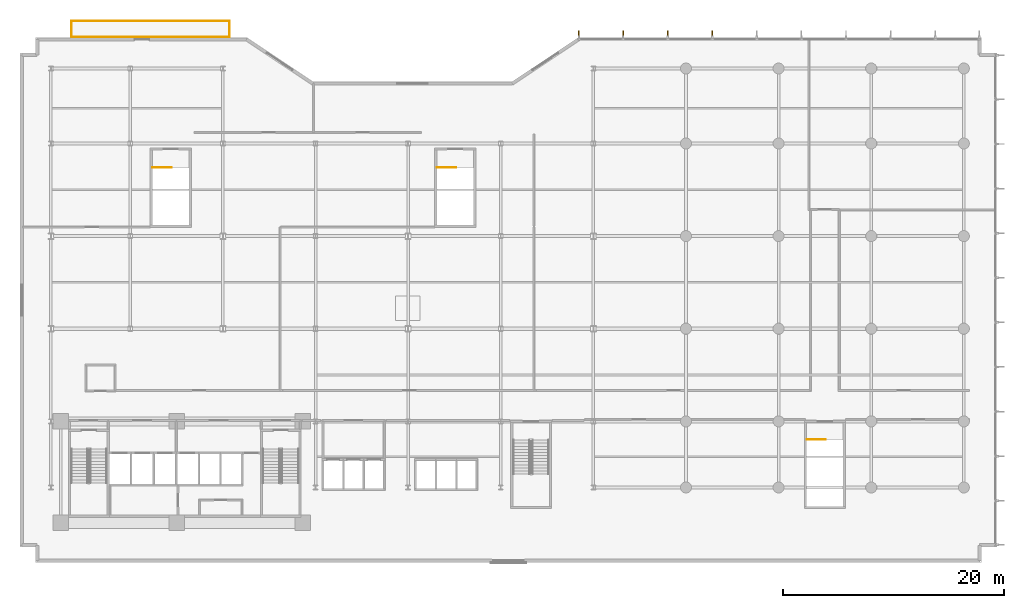
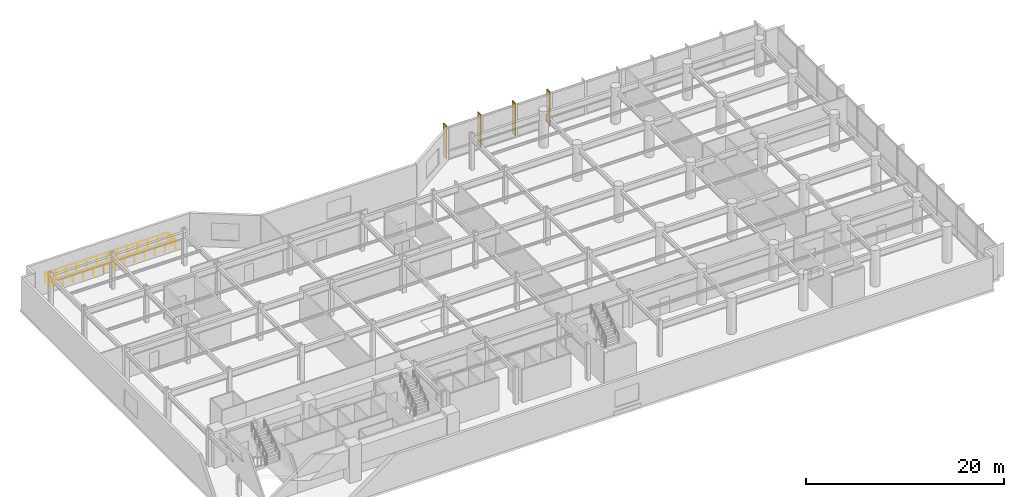
# One storey, part 22 of 23: 7 railings, 4 shading devices.
"""IFC4 building model written with IfcOpenShell, lengths in metres."""

from ifc_helpers import new_model, si_unit, direction, frame, origin, origin_2d, place, context, subcontext, project, spatial, rectangle, circle, extrude, material, layer, layer_set, type_object, element, save


model = new_model("IFC4")

# Units and contexts
model_context = context("Model", 3, precision=1e-05, world=origin(), true_north=direction((0.0, 1.0)))
body_context = subcontext(model_context, "Body", "Model", "MODEL_VIEW")
ifc_project = project(units=[si_unit("LENGTHUNIT", "METRE"), si_unit("AREAUNIT", "SQUARE_METRE"), si_unit("VOLUMEUNIT", "CUBIC_METRE"), si_unit("PLANEANGLEUNIT", "RADIAN"), si_unit("MASSUNIT", "GRAM", prefix="KILO")], contexts=[model_context])

# Site, building, storey
site_placement = place(None, origin())
site = spatial("IfcSite", under=ifc_project, at=site_placement, CompositionType="ELEMENT")
building_placement = place(site_placement, origin())
building = spatial("IfcBuilding", under=site, at=building_placement, Name="Varnakote Quay Hospital", CompositionType="ELEMENT")
storey_placement = place(building_placement, frame((0.0, 0.0, 18.0)))
storey = spatial("IfcBuildingStorey", under=building, at=storey_placement, Name="L04", CompositionType="ELEMENT", Elevation=18.0)

# Railings
ifc_material_1 = material(Name="Anodised aluminium 6063-T6 Bronze", Category="aluminium")
railing_type_1 = type_object("IfcRailingType", Name="RLG-EXT-GUARD-1150", PredefinedType="GUARDRAIL", material=ifc_material_1)
railing_1_placement = place(storey_placement, frame((3.080078125, 46.8759765625, 0.0)))
element("IfcRailing", 1, at=railing_1_placement, inside=storey, type_object=railing_type_1, Name="L04 Zigzag Prow Healing Terrace Safety Guard", PredefinedType="GUARDRAIL", context=body_context, shape_type="SweptSolid", body=[
    extrude(circle(Radius=0.02392578125, at=origin_2d()), frame((0.0, 0.0, 1.1259765625), z_axis=(0.0, 1.0, 0.0), x_axis=(-1.0, 0.0, 0.0)), (0.0, 0.0, 1.0), 1.444091796875),
    extrude(circle(Radius=0.02099609375, at=origin_2d()), origin(), (0.0, 0.0, 1.0), 1.101806640625),
    extrude(circle(Radius=0.02099609375, at=origin_2d()), frame((0.0, 0.72216796875, 0.0)), (0.0, 0.0, 1.0), 1.101806640625),
    extrude(circle(Radius=0.02099609375, at=origin_2d()), frame((0.0, 1.444091796875, 0.0)), (0.0, 0.0, 1.0), 1.101806640625),
])
railing_2_placement = place(storey_placement, frame((3.080078125, 48.320068359375, 0.0)))
element("IfcRailing", 2, at=railing_2_placement, inside=storey, type_object=railing_type_1, Name="L04 Zigzag Prow Healing Terrace Safety Guard", PredefinedType="GUARDRAIL", context=body_context, shape_type="SweptSolid", body=[
    extrude(circle(Radius=0.02392578125, at=origin_2d()), frame((0.0, 0.0, 1.1259765625), z_axis=(1.0, 0.0, 0.0), x_axis=(0.0, 1.0, 0.0)), (0.0, 0.0, 1.0), 14.33984375),
    extrude(circle(Radius=0.02099609375, at=origin_2d()), origin(), (0.0, 0.0, 1.0), 1.101806640625),
    extrude(circle(Radius=0.02099609375, at=origin_2d()), frame((1.195068359375, 0.0, 0.0)), (0.0, 0.0, 1.0), 1.101806640625),
    extrude(circle(Radius=0.02099609375, at=origin_2d()), frame((2.389892578125, 0.0, 0.0)), (0.0, 0.0, 1.0), 1.101806640625),
    extrude(circle(Radius=0.02099609375, at=origin_2d()), frame((3.5849609375, 0.0, 0.0)), (0.0, 0.0, 1.0), 1.101806640625),
    extrude(circle(Radius=0.02099609375, at=origin_2d()), frame((4.780029296875, 0.0, 0.0)), (0.0, 0.0, 1.0), 1.101806640625),
    extrude(circle(Radius=0.02099609375, at=origin_2d()), frame((5.974853515625, 0.0, 0.0)), (0.0, 0.0, 1.0), 1.101806640625),
    extrude(circle(Radius=0.02099609375, at=origin_2d()), frame((7.169921875, 0.0, 0.0)), (0.0, 0.0, 1.0), 1.101806640625),
    extrude(circle(Radius=0.02099609375, at=origin_2d()), frame((8.364990234375, 0.0, 0.0)), (0.0, 0.0, 1.0), 1.101806640625),
    extrude(circle(Radius=0.02099609375, at=origin_2d()), frame((9.559814453125, 0.0, 0.0)), (0.0, 0.0, 1.0), 1.101806640625),
    extrude(circle(Radius=0.02099609375, at=origin_2d()), frame((10.7548828125, 0.0, 0.0)), (0.0, 0.0, 1.0), 1.101806640625),
    extrude(circle(Radius=0.02099609375, at=origin_2d()), frame((11.949951171875, 0.0, 0.0)), (0.0, 0.0, 1.0), 1.101806640625),
    extrude(circle(Radius=0.02099609375, at=origin_2d()), frame((13.144775390625, 0.0, 0.0)), (0.0, 0.0, 1.0), 1.101806640625),
    extrude(circle(Radius=0.02099609375, at=origin_2d()), frame((14.33984375, 0.0, 0.0)), (0.0, 0.0, 1.0), 1.101806640625),
])
railing_3_placement = place(storey_placement, frame((17.419921875, 48.320068359375, 0.0)))
element("IfcRailing", 3, at=railing_3_placement, inside=storey, type_object=railing_type_1, Name="L04 Zigzag Prow Healing Terrace Safety Guard", PredefinedType="GUARDRAIL", context=body_context, shape_type="SweptSolid", body=[
    extrude(circle(Radius=0.02392578125, at=origin_2d()), frame((0.0, 0.0, 1.1259765625), z_axis=(0.0, -1.0, 0.0), x_axis=(1.0, 0.0, 0.0)), (0.0, 0.0, 1.0), 1.444091796875),
    extrude(circle(Radius=0.02099609375, at=origin_2d()), origin(), (0.0, 0.0, 1.0), 1.101806640625),
    extrude(circle(Radius=0.02099609375, at=origin_2d()), frame((0.0, -0.72216796875, 0.0)), (0.0, 0.0, 1.0), 1.101806640625),
    extrude(circle(Radius=0.02099609375, at=origin_2d()), frame((0.0, -1.444091796875, 0.0)), (0.0, 0.0, 1.0), 1.101806640625),
])
railing_4_placement = place(storey_placement, frame((17.419921875, 46.8759765625, 0.0)))
element("IfcRailing", 4, at=railing_4_placement, inside=storey, type_object=railing_type_1, Name="L04 Zigzag Prow Healing Terrace Safety Guard", PredefinedType="GUARDRAIL", context=body_context, shape_type="SweptSolid", body=[
    extrude(circle(Radius=0.02392578125, at=origin_2d()), frame((0.0, 0.0, 1.1259765625), z_axis=(-1.0, 0.0, 0.0), x_axis=(0.0, -1.0, 0.0)), (0.0, 0.0, 1.0), 14.33984375),
    extrude(circle(Radius=0.02099609375, at=origin_2d()), origin(), (0.0, 0.0, 1.0), 1.101806640625),
    extrude(circle(Radius=0.02099609375, at=origin_2d()), frame((-1.195068359375, 0.0, 0.0)), (0.0, 0.0, 1.0), 1.101806640625),
    extrude(circle(Radius=0.02099609375, at=origin_2d()), frame((-2.389892578125, 0.0, 0.0)), (0.0, 0.0, 1.0), 1.101806640625),
    extrude(circle(Radius=0.02099609375, at=origin_2d()), frame((-3.5849609375, 0.0, 0.0)), (0.0, 0.0, 1.0), 1.101806640625),
    extrude(circle(Radius=0.02099609375, at=origin_2d()), frame((-4.780029296875, 0.0, 0.0)), (0.0, 0.0, 1.0), 1.101806640625),
    extrude(circle(Radius=0.02099609375, at=origin_2d()), frame((-5.974853515625, 0.0, 0.0)), (0.0, 0.0, 1.0), 1.101806640625),
    extrude(circle(Radius=0.02099609375, at=origin_2d()), frame((-7.169921875, 0.0, 0.0)), (0.0, 0.0, 1.0), 1.101806640625),
    extrude(circle(Radius=0.02099609375, at=origin_2d()), frame((-8.364990234375, 0.0, 0.0)), (0.0, 0.0, 1.0), 1.101806640625),
    extrude(circle(Radius=0.02099609375, at=origin_2d()), frame((-9.559814453125, 0.0, 0.0)), (0.0, 0.0, 1.0), 1.101806640625),
    extrude(circle(Radius=0.02099609375, at=origin_2d()), frame((-10.7548828125, 0.0, 0.0)), (0.0, 0.0, 1.0), 1.101806640625),
    extrude(circle(Radius=0.02099609375, at=origin_2d()), frame((-11.949951171875, 0.0, 0.0)), (0.0, 0.0, 1.0), 1.101806640625),
    extrude(circle(Radius=0.02099609375, at=origin_2d()), frame((-13.144775390625, 0.0, 0.0)), (0.0, 0.0, 1.0), 1.101806640625),
    extrude(circle(Radius=0.02099609375, at=origin_2d()), frame((-14.33984375, 0.0, 0.0)), (0.0, 0.0, 1.0), 1.101806640625),
])
ifc_material_2 = material(Name="Brushed stainless steel balustrade", Category="steel")
railing_type_2 = type_object("IfcRailingType", Name="RLG-STAIR-GUARD-1150", PredefinedType="GUARDRAIL", material=ifc_material_2)
for number, where, name in (
    (5, (10.39990234375, 35.030029296875, 0.0), "L04 ST-04 top well guard 1"),
    (6, (36.199951171875, 35.030029296875, 0.0), "L04 ST-05 top well guard 1"),
):
    element("IfcRailing", number, at=place(storey_placement, frame(where)), inside=storey, type_object=railing_type_2, Name=name, PredefinedType="GUARDRAIL", context=body_context, shape_type="SweptSolid", body=[
        extrude(circle(Radius=0.02392578125, at=origin_2d()), frame((0.0, 0.0, 1.076171875), z_axis=(1.0, 0.0, 0.0), x_axis=(0.0, 1.0, 0.0)), (0.0, 0.0, 1.0), 1.739990234375),
        extrude(circle(Radius=0.02099609375, at=origin_2d()), origin(), (0.0, 0.0, 1.0), 1.052001953125),
        extrude(circle(Radius=0.02099609375, at=origin_2d()), frame((0.8701171875, 0.0, 0.0)), (0.0, 0.0, 1.0), 1.052001953125),
        extrude(circle(Radius=0.02099609375, at=origin_2d()), frame((1.739990234375, 0.0, 0.0)), (0.0, 0.0, 1.0), 1.052001953125),
    ])
railing_5_placement = place(storey_placement, frame((69.75, 10.35009765625, 0.0)))
element("IfcRailing", 7, at=railing_5_placement, inside=storey, type_object=railing_type_2, Name="L04 ST-06 top well guard 1", PredefinedType="GUARDRAIL", context=body_context, shape_type="SweptSolid", body=[
    extrude(circle(Radius=0.02392578125, at=origin_2d()), frame((0.0, 0.0, 1.076171875), z_axis=(1.0, 0.0, 0.0), x_axis=(0.0, 1.0, 0.0)), (0.0, 0.0, 1.0), 1.719970703125),
    extrude(circle(Radius=0.02099609375, at=origin_2d()), origin(), (0.0, 0.0, 1.0), 1.052001953125),
    extrude(circle(Radius=0.02099609375, at=origin_2d()), frame((0.85986328125, 0.0, 0.0)), (0.0, 0.0, 1.0), 1.052001953125),
    extrude(circle(Radius=0.02099609375, at=origin_2d()), frame((1.719970703125, 0.0, 0.0)), (0.0, 0.0, 1.0), 1.052001953125),
])

# Shading devices
ifc_material_3 = material(Name="Anodised aluminium 6063-T6 Bronze", Category="aluminium")
ifc_layer = layer(ifc_material_3, 0.0849609375)
ifc_layer_set = layer_set([ifc_layer], Name="Anodised aluminium 6063-T6 Bronze")
shading_device_type = type_object("IfcShadingDeviceType", Name="SHD-BRONZE-FIN-620", PredefinedType="USERDEFINED", material=ifc_layer_set)
for number, where, z_axis, x_axis, name in (
    (8, (61.178955078125, 47.1298828125, 0.0), (0.0, 0.0, 1.0), (0.0, -1.0, 0.0), "L04 Anodised Bronze Vertical Shading FIN"),
    (9, (57.135498046875, 47.1298828125, 0.0), (0.0, 0.0, 1.0), (0.0, -1.0, 0.0), "L04 Anodised Bronze Vertical Shading FIN"),
    (10, (53.091796875, 47.1298828125, 0.0), (0.0, 0.0, 1.0), (0.0, -1.0, 0.0), "L04 Anodised Bronze Vertical Shading FIN"),
    (11, (49.0908203125, 47.1298828125, 0.0), (0.0, 0.0, 1.0), (0.0, -1.0, 0.0), "L04 Anodised Bronze Vertical Shading FIN"),
):
    element("IfcShadingDevice", number, at=place(storey_placement, frame(where, z_axis=z_axis, x_axis=x_axis)), inside=storey, type_object=shading_device_type, Name=name, ObjectType="FIN", PredefinedType="USERDEFINED", context=body_context, shape_type="SweptSolid", body=[
        extrude(rectangle(XDim=0.6201171875, YDim=0.0849609375, at=origin_2d()), origin(), (0.0, 0.0, 1.0), 4.080078125),
    ])

save(model, "model.ifc")
